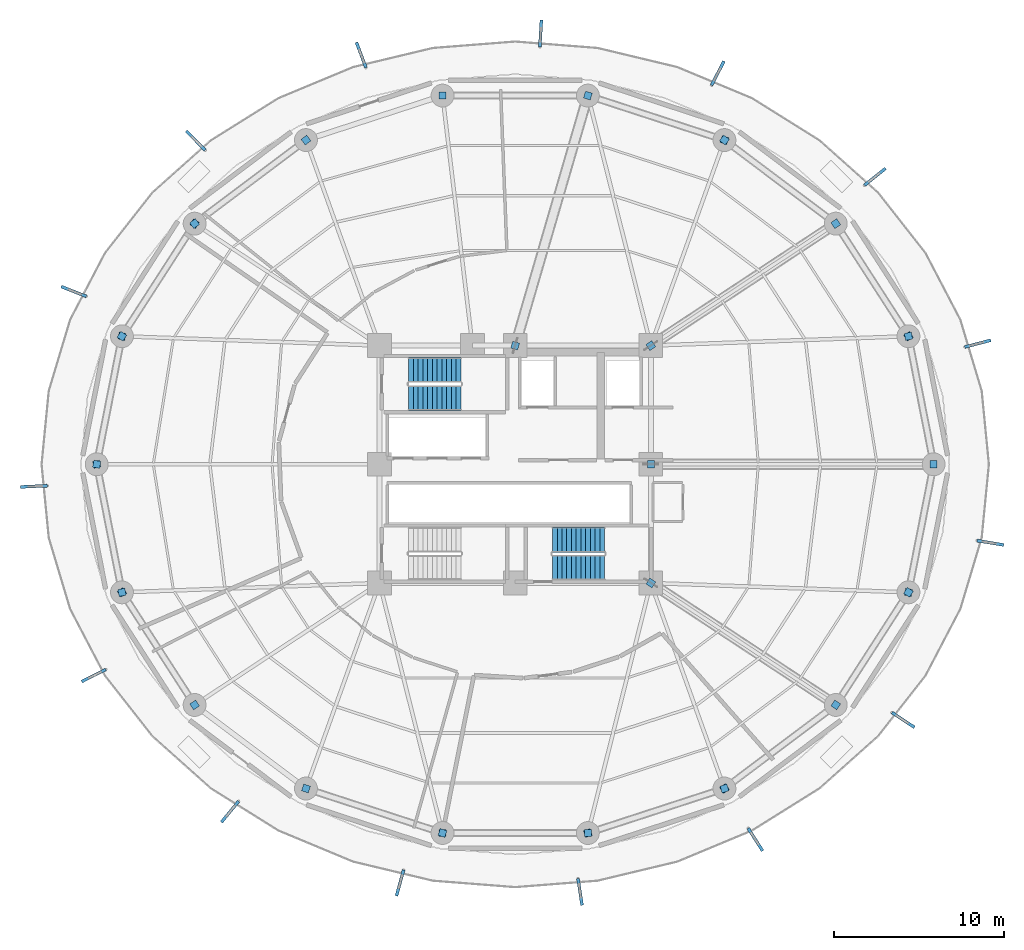
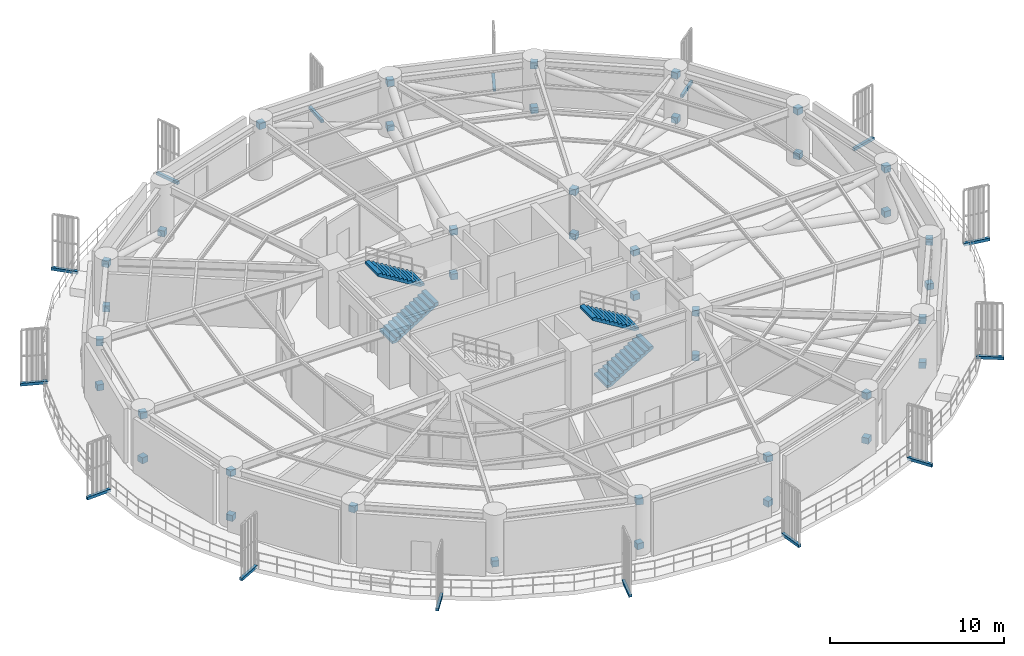
# One storey, part 6 of 10: 55 discrete accessories, 4 stair flights, 2 elements without a shape of their own.
"""IFC4 building model written with IfcOpenShell, lengths in metres."""

from ifc_helpers import new_model, si_unit, direction, frame, origin, origin_2d, place, context, subcontext, project, spatial, polyline, rectangle, outline, extrude, source, transform, mapped, material, type_object, element, aggregate, save


model = new_model("IFC4")

# Units and contexts
model_context = context("Model", 3, precision=1e-05, world=origin(), true_north=direction((0.0, 1.0)))
body_context = subcontext(model_context, "Body", "Model", "MODEL_VIEW")
ifc_project = project(units=[si_unit("LENGTHUNIT", "METRE"), si_unit("AREAUNIT", "SQUARE_METRE"), si_unit("VOLUMEUNIT", "CUBIC_METRE"), si_unit("PLANEANGLEUNIT", "RADIAN"), si_unit("MASSUNIT", "GRAM", prefix="KILO")], contexts=[model_context])

# Site, building, storey
site_placement = place(None, origin())
site = spatial("IfcSite", under=ifc_project, at=site_placement, CompositionType="ELEMENT")
building_placement = place(site_placement, origin())
building = spatial("IfcBuilding", under=site, at=building_placement, Name="Kelanora Arch Commons", CompositionType="ELEMENT")
storey_placement = place(building_placement, frame((0.0, 0.0, 72.260009765625)))
storey = spatial("IfcBuildingStorey", under=building, at=storey_placement, Name="L18", CompositionType="ELEMENT", Elevation=72.260009765625)

# Stair, stair flights
ifc_material_1 = material(Name="Concrete C40/50", Category="concrete")
stair_type = type_object("IfcStairType", Name="STR-DL-409", PredefinedType="HALF_TURN_STAIR", material=ifc_material_1)
stair_1_placement = place(storey_placement, origin())
stair_1 = element("IfcStair", 1, at=stair_1_placement, inside=storey, type_object=stair_type, Name="L18 ST-T1", PredefinedType="HALF_TURN_STAIR")
stair_flight_type = type_object("IfcStairFlightType", Name="FLT-DL-409", PredefinedType="STRAIGHT", material=ifc_material_1)
stair_flight_1_placement = place(storey_placement, frame((67.719970703125, 61.919921875, 0.0), z_axis=(0.0, 0.0, 1.0), x_axis=(1.0, 0.0, 0.0)))
stair_flight_1 = element("IfcStairFlight", 2, at=stair_flight_1_placement, type_object=stair_flight_type, Name="ST-T1 flight 1", NumberOfRisers=12, NumberOfTreads=11, PredefinedType="STRAIGHT", RiserHeight=0.170416667, TreadLength=0.28, context=body_context, shape_type="SweptSolid", body=[
    extrude(outline(polyline([(0.0, 0.0), (0.0, 0.17041015625), (0.280029296875, 0.17041015625), (0.280029296875, 0.3408203125), (0.56005859375, 0.3408203125), (0.56005859375, 0.51123046875), (0.840087890625, 0.51123046875), (0.840087890625, 0.681640625), (1.1201171875, 0.681640625), (1.1201171875, 0.85205078125), (1.39990234375, 0.85205078125), (1.39990234375, 1.0224609375), (1.679931640625, 1.0224609375), (1.679931640625, 1.19287109375), (1.9599609375, 1.19287109375), (1.9599609375, 1.36328125), (2.239990234375, 1.36328125), (2.239990234375, 1.53369140625), (2.52001953125, 1.53369140625), (2.52001953125, 1.7041015625), (2.800048828125, 1.7041015625), (2.800048828125, 1.87451171875), (3.080078125, 1.87451171875), (3.080078125, 2.044921875), (3.080078125, 1.69921875), (0.288330078125, 0.0), (0.0, 0.0)])), frame((0.0, 0.739990234375, 0.0), z_axis=(0.0, -1.0, 0.0), x_axis=(1.0, 0.0, 0.0)), (0.0, 0.0, 1.0), 1.47998046875),
])
stair_flight_2_placement = place(storey_placement, frame((70.800048828125, 63.550048828125, 2.044921875), z_axis=(0.0, 0.0, 1.0), x_axis=(-1.0, 0.0, 0.0)))
stair_flight_2 = element("IfcStairFlight", 3, at=stair_flight_2_placement, type_object=stair_flight_type, Name="ST-T1 flight 2", NumberOfRisers=12, NumberOfTreads=11, PredefinedType="STRAIGHT", RiserHeight=0.170416667, TreadLength=0.28, context=body_context, shape_type="SweptSolid", body=[
    extrude(outline(polyline([(0.0, 0.0), (0.0, 0.17041015625), (0.280029296875, 0.17041015625), (0.280029296875, 0.3408203125), (0.56005859375, 0.3408203125), (0.56005859375, 0.51123046875), (0.840087890625, 0.51123046875), (0.840087890625, 0.681640625), (1.1201171875, 0.681640625), (1.1201171875, 0.85205078125), (1.39990234375, 0.85205078125), (1.39990234375, 1.0224609375), (1.679931640625, 1.0224609375), (1.679931640625, 1.19287109375), (1.9599609375, 1.19287109375), (1.9599609375, 1.36328125), (2.239990234375, 1.36328125), (2.239990234375, 1.53369140625), (2.52001953125, 1.53369140625), (2.52001953125, 1.7041015625), (2.800048828125, 1.7041015625), (2.800048828125, 1.87451171875), (3.080078125, 1.87451171875), (3.080078125, 2.044921875), (3.080078125, 1.69921875), (0.288330078125, 0.0), (0.0, 0.0)])), frame((0.0, 0.739990234375, 0.0), z_axis=(0.0, -1.0, 0.0), x_axis=(1.0, 0.0, 0.0)), (0.0, 0.0, 1.0), 1.47998046875),
])
aggregate(stair_1, [stair_flight_1, stair_flight_2])

stair_2_placement = place(storey_placement, origin())
stair_2 = element("IfcStair", 4, at=stair_2_placement, inside=storey, type_object=stair_type, Name="L18 ST-T2", PredefinedType="HALF_TURN_STAIR")
stair_flight_3_placement = place(storey_placement, frame((76.199951171875, 51.919921875, 0.0), z_axis=(0.0, 0.0, 1.0), x_axis=(1.0, 0.0, 0.0)))
stair_flight_3 = element("IfcStairFlight", 5, at=stair_flight_3_placement, type_object=stair_flight_type, Name="ST-T2 flight 1", NumberOfRisers=12, NumberOfTreads=11, PredefinedType="STRAIGHT", RiserHeight=0.170416667, TreadLength=0.28, context=body_context, shape_type="SweptSolid", body=[
    extrude(outline(polyline([(0.0, 0.0), (0.0, 0.17041015625), (0.280029296875, 0.17041015625), (0.280029296875, 0.3408203125), (0.56005859375, 0.3408203125), (0.56005859375, 0.51123046875), (0.840087890625, 0.51123046875), (0.840087890625, 0.681640625), (1.1201171875, 0.681640625), (1.1201171875, 0.85205078125), (1.39990234375, 0.85205078125), (1.39990234375, 1.0224609375), (1.679931640625, 1.0224609375), (1.679931640625, 1.19287109375), (1.9599609375, 1.19287109375), (1.9599609375, 1.36328125), (2.239990234375, 1.36328125), (2.239990234375, 1.53369140625), (2.52001953125, 1.53369140625), (2.52001953125, 1.7041015625), (2.800048828125, 1.7041015625), (2.800048828125, 1.87451171875), (3.080078125, 1.87451171875), (3.080078125, 2.044921875), (3.080078125, 1.69921875), (0.288330078125, 0.0), (0.0, 0.0)])), frame((0.0, 0.739990234375, 0.0), z_axis=(0.0, -1.0, 0.0), x_axis=(1.0, 0.0, 0.0)), (0.0, 0.0, 1.0), 1.47998046875),
])
stair_flight_4_placement = place(storey_placement, frame((79.280029296875, 53.550048828125, 2.044921875), z_axis=(0.0, 0.0, 1.0), x_axis=(-1.0, 0.0, 0.0)))
stair_flight_4 = element("IfcStairFlight", 6, at=stair_flight_4_placement, type_object=stair_flight_type, Name="ST-T2 flight 2", NumberOfRisers=12, NumberOfTreads=11, PredefinedType="STRAIGHT", RiserHeight=0.170416667, TreadLength=0.28, context=body_context, shape_type="SweptSolid", body=[
    extrude(outline(polyline([(0.0, 0.0), (0.0, 0.17041015625), (0.280029296875, 0.17041015625), (0.280029296875, 0.3408203125), (0.56005859375, 0.3408203125), (0.56005859375, 0.51123046875), (0.840087890625, 0.51123046875), (0.840087890625, 0.681640625), (1.1201171875, 0.681640625), (1.1201171875, 0.85205078125), (1.39990234375, 0.85205078125), (1.39990234375, 1.0224609375), (1.679931640625, 1.0224609375), (1.679931640625, 1.19287109375), (1.9599609375, 1.19287109375), (1.9599609375, 1.36328125), (2.239990234375, 1.36328125), (2.239990234375, 1.53369140625), (2.52001953125, 1.53369140625), (2.52001953125, 1.7041015625), (2.800048828125, 1.7041015625), (2.800048828125, 1.87451171875), (3.080078125, 1.87451171875), (3.080078125, 2.044921875), (3.080078125, 1.69921875), (0.288330078125, 0.0), (0.0, 0.0)])), frame((0.0, 0.739990234375, 0.0), z_axis=(0.0, -1.0, 0.0), x_axis=(1.0, 0.0, 0.0)), (0.0, 0.0, 1.0), 1.47998046875),
])
aggregate(stair_2, [stair_flight_3, stair_flight_4])

# Discrete accessories
ifc_material_2 = material(Name="Steel S355", Category="steel")
discrete_accessory_type_1 = type_object("IfcDiscreteAccessoryType", Name="ACC-BRC-CONN", PredefinedType="BRACKET", material=ifc_material_2)
shared_shape_1 = source(origin(), body_context, "Body", "SweptSolid", [
    extrude(rectangle(XDim=0.419921875, YDim=0.419921875, at=origin_2d()), origin(), (0.0, 0.0, 1.0), 0.419921875),
])
for number, where, z_axis, x_axis, name in (
    (7, (82.0, 51.0, 0.14013671875), (0.0, 0.0, 1.0), (0.834751773535, -0.55062644014, 0.0), "Brace and Strut Gusset End Connection 0049"),
    (8, (92.906005859375, 43.80712890625, 3.27001953125), (0.0, 0.0, 1.0), (0.834751773535, -0.55062644014, 0.0), "Brace and Strut Gusset End Connection 0050"),
    (9, (82.0, 51.0, 3.27001953125), (0.0, 0.0, 1.0), (0.834751773535, -0.55062644014, 0.0), "Brace and Strut Gusset End Connection 0051"),
    (10, (92.906005859375, 43.80712890625, 0.14013671875), (0.0, 0.0, 1.0), (0.834751773535, -0.55062644014, 0.0), "Brace and Strut Gusset End Connection 0052"),
    (11, (82.0, 58.0, 0.14013671875), (0.0, 0.0, 1.0), (1.0, 0.0, 0.0), "Brace and Strut Gusset End Connection 0053"),
    (12, (98.679931640625, 58.0, 3.27001953125), (0.0, 0.0, 1.0), (1.0, 0.0, 0.0), "Brace and Strut Gusset End Connection 0054"),
    (13, (82.0, 58.0, 3.27001953125), (0.0, 0.0, 1.0), (1.0, 0.0, 0.0), "Brace and Strut Gusset End Connection 0055"),
    (14, (98.679931640625, 58.0, 0.14013671875), (0.0, 0.0, 1.0), (1.0, 0.0, 0.0), "Brace and Strut Gusset End Connection 0056"),
    (15, (82.0, 65.0, 0.14013671875), (0.0, 0.0, 1.0), (0.834751773535, 0.55062644014, 0.0), "Brace and Strut Gusset End Connection 0057"),
    (16, (92.906005859375, 72.19287109375, 3.27001953125), (0.0, 0.0, 1.0), (0.834751773535, 0.55062644014, 0.0), "Brace and Strut Gusset End Connection 0058"),
    (17, (82.0, 65.0, 3.27001953125), (0.0, 0.0, 1.0), (0.834751773535, 0.55062644014, 0.0), "Brace and Strut Gusset End Connection 0059"),
    (18, (92.906005859375, 72.19287109375, 0.14013671875), (0.0, 0.0, 1.0), (0.834751773535, 0.55062644014, 0.0), "Brace and Strut Gusset End Connection 0060"),
    (19, (74.0, 65.0, 0.14013671875), (0.0, 0.0, 1.0), (0.279158704655, 0.960244977917, 0.0), "Brace and Strut Gusset End Connection 0061"),
    (20, (78.28564453125, 79.74462890625, 3.27001953125), (0.0, 0.0, 1.0), (0.279158704655, 0.960244977917, 0.0), "Brace and Strut Gusset End Connection 0062"),
    (21, (74.0, 65.0, 3.27001953125), (0.0, 0.0, 1.0), (0.279158704655, 0.960244977917, 0.0), "Brace and Strut Gusset End Connection 0063"),
    (22, (78.28564453125, 79.74462890625, 0.14013671875), (0.0, 0.0, 1.0), (0.279158704655, 0.960244977917, 0.0), "Brace and Strut Gusset End Connection 0064"),
    (23, (97.191650390625, 65.5517578125, 3.27001953125), (0.0, 0.0, 1.0), (-0.193378232506, 0.981124283255, 0.0), "Brace and Strut Gusset End Connection 0065"),
    (24, (97.191650390625, 65.5517578125, 0.14013671875), (0.0, 0.0, 1.0), (-0.542294904417, 0.840188215011, 0.0), "Brace and Strut Gusset End Connection 0066"),
    (25, (86.340087890625, 77.121826171875, 3.27001953125), (0.0, 0.0, 1.0), (-0.799684658487, 0.600420225326, 0.0), "Brace and Strut Gusset End Connection 0067"),
    (26, (86.340087890625, 77.121826171875, 0.14013671875), (0.0, 0.0, 1.0), (-0.950840549986, 0.309680881719, 0.0), "Brace and Strut Gusset End Connection 0068"),
    (27, (69.71435546875, 79.74462890625, 3.27001953125), (0.0, 0.0, 1.0), (-1.0, 0.0, 0.0), "Brace and Strut Gusset End Connection 0069"),
    (28, (61.659912109375, 77.121826171875, 0.14013671875), (0.0, 0.0, 1.0), (-0.799684658487, -0.600420225326, 0.0), "Brace and Strut Gusset End Connection 0070"),
    (29, (55.093994140625, 72.19287109375, 3.27001953125), (0.0, 0.0, 1.0), (-0.799684658487, -0.600420225326, 0.0), "Brace and Strut Gusset End Connection 0071"),
    (30, (55.093994140625, 72.19287109375, 0.14013671875), (0.0, 0.0, 1.0), (-0.542294904417, -0.840188215011, 0.0), "Brace and Strut Gusset End Connection 0072"),
    (31, (50.808349609375, 65.5517578125, 3.27001953125), (0.0, 0.0, 1.0), (-0.542294904417, -0.840188215011, 0.0), "Brace and Strut Gusset End Connection 0073"),
    (32, (50.808349609375, 65.5517578125, 0.14013671875), (0.0, 0.0, 1.0), (-0.193378232506, -0.981124283255, 0.0), "Brace and Strut Gusset End Connection 0074"),
    (33, (49.320068359375, 58.0, 3.27001953125), (0.0, 0.0, 1.0), (-0.193378232506, -0.981124283255, 0.0), "Brace and Strut Gusset End Connection 0075"),
    (34, (49.320068359375, 58.0, 0.14013671875), (0.0, 0.0, 1.0), (0.193378232506, -0.981124283255, 0.0), "Brace and Strut Gusset End Connection 0076"),
    (35, (50.808349609375, 50.4482421875, 3.27001953125), (0.0, 0.0, 1.0), (0.193378232506, -0.981124283255, 0.0), "Brace and Strut Gusset End Connection 0077"),
    (36, (50.808349609375, 50.4482421875, 0.14013671875), (0.0, 0.0, 1.0), (0.542294904417, -0.840188215011, 0.0), "Brace and Strut Gusset End Connection 0078"),
    (37, (55.093994140625, 43.80712890625, 3.27001953125), (0.0, 0.0, 1.0), (0.542294904417, -0.840188215011, 0.0), "Brace and Strut Gusset End Connection 0079"),
    (38, (61.659912109375, 38.878173828125, 0.14013671875), (0.0, 0.0, 1.0), (0.950840549986, -0.309680881719, 0.0), "Brace and Strut Gusset End Connection 0080"),
    (39, (69.71435546875, 36.25537109375, 3.27001953125), (0.0, 0.0, 1.0), (0.950840549986, -0.309680881719, 0.0), "Brace and Strut Gusset End Connection 0081"),
    (40, (69.71435546875, 36.25537109375, 0.14013671875), (0.0, 0.0, 1.0), (1.0, 0.0, 0.0), "Brace and Strut Gusset End Connection 0082"),
    (41, (78.28564453125, 36.25537109375, 3.27001953125), (0.0, 0.0, 1.0), (1.0, 0.0, 0.0), "Brace and Strut Gusset End Connection 0083"),
    (42, (78.28564453125, 36.25537109375, 0.14013671875), (0.0, 0.0, 1.0), (0.950840549986, 0.309680881719, 0.0), "Brace and Strut Gusset End Connection 0084"),
    (43, (86.340087890625, 38.878173828125, 3.27001953125), (0.0, 0.0, 1.0), (0.950840549986, 0.309680881719, 0.0), "Brace and Strut Gusset End Connection 0085"),
    (44, (86.340087890625, 38.878173828125, 0.14013671875), (0.0, 0.0, 1.0), (0.799684658487, 0.600420225326, 0.0), "Brace and Strut Gusset End Connection 0086"),
    (45, (97.191650390625, 50.4482421875, 3.27001953125), (0.0, 0.0, 1.0), (0.542294904417, 0.840188215011, 0.0), "Brace and Strut Gusset End Connection 0087"),
    (46, (97.191650390625, 50.4482421875, 0.14013671875), (0.0, 0.0, 1.0), (0.193378232506, 0.981124283255, 0.0), "Brace and Strut Gusset End Connection 0088"),
):
    element("IfcDiscreteAccessory", number, at=place(storey_placement, frame(where, z_axis=z_axis, x_axis=x_axis)), inside=storey, type_object=discrete_accessory_type_1, Name=name, PredefinedType="BRACKET", context=body_context, shape_type="MappedRepresentation", body=[
        mapped(shared_shape_1, transform((0.0, 0.0, 0.0), scale=1.0)),
    ])
ifc_material_3 = material(Name="Stainless steel 316 marine fin bracket", Category="steel")
discrete_accessory_type_2 = type_object("IfcDiscreteAccessoryType", Name="ACC-FIN-BRK", PredefinedType="BRACKET", material=ifc_material_3)
shared_shape_2 = source(origin(), body_context, "Body", "SweptSolid", [
    extrude(rectangle(XDim=1.590087890625, YDim=0.179931640625, at=origin_2d()), origin(), (0.0, 0.0, 1.0), 0.199951171875),
])
for number, where, z_axis, x_axis, name in (
    (47, (95.221923828125, 74.953369140625, -0.16015625), (0.0, 0.0, 1.0), (0.781302649748, 0.624152360803, 0.0), "Sweeping Fin Cantilever Spine Bracket L18-00"),
    (48, (85.944091796875, 81.0625, -0.16015625), (0.0, 0.0, 1.0), (0.459889850721, 0.887975971074, 0.0), "Sweeping Fin Cantilever Spine Bracket L18-01"),
    (49, (75.5, 83.3994140625, -0.16015625), (0.0, 0.0, 1.0), (0.058957918535, 0.998260468937, 0.0), "Sweeping Fin Cantilever Spine Bracket L18-02"),
    (50, (64.918212890625, 82.135986328125, -0.16015625), (0.0, 0.0, 1.0), (-0.352168373381, 0.935936662809, 0.0), "Sweeping Fin Cantilever Spine Bracket L18-03"),
    (51, (55.161376953125, 77.090087890625, -0.16015625), (0.0, 0.0, 1.0), (-0.70240155419, 0.711780904964, 0.0), "Sweeping Fin Cantilever Spine Bracket L18-04"),
    (52, (47.968017578125, 68.19140625, -0.16015625), (0.0, 0.0, 1.0), (-0.931183125162, 0.364551762325, 0.0), "Sweeping Fin Cantilever Spine Bracket L18-05"),
    (53, (45.610595703125, 56.700927734375, -0.16015625), (0.0, 0.0, 1.0), (-0.99895467426, -0.04571169187, 0.0), "Sweeping Fin Cantilever Spine Bracket L18-06"),
    (54, (49.1474609375, 45.5439453125, -0.16015625), (0.0, 0.0, 1.0), (-0.893997884961, -0.448071179262, 0.0), "Sweeping Fin Cantilever Spine Bracket L18-07"),
    (55, (57.180908203125, 37.509521484375, -0.16015625), (0.0, 0.0, 1.0), (-0.634460739636, -0.772955089162, 0.0), "Sweeping Fin Cantilever Spine Bracket L18-08"),
    (56, (67.208984375, 33.31201171875, -0.16015625), (0.0, 0.0, 1.0), (-0.265219568533, -0.964188042068, 0.0), "Sweeping Fin Cantilever Spine Bracket L18-09"),
    (57, (77.82275390625, 32.783447265625, -0.16015625), (0.0, 0.0, 1.0), (0.149880475413, -0.988704123128, 0.0), "Sweeping Fin Cantilever Spine Bracket L18-10"),
    (58, (88.16455078125, 35.86865234375, -0.16015625), (0.0, 0.0, 1.0), (0.539064823539, -0.842264279204, 0.0), "Sweeping Fin Cantilever Spine Bracket L18-11"),
    (59, (96.881103515625, 42.92431640625, -0.16015625), (0.0, 0.0, 1.0), (0.835039966425, -0.550189289674, 0.0), "Sweeping Fin Cantilever Spine Bracket L18-12"),
    (60, (102.021484375, 53.37109375, -0.16015625), (0.0, 0.0, 1.0), (0.986629113016, -0.162981573648, 0.0), "Sweeping Fin Cantilever Spine Bracket L18-13"),
    (61, (101.279296875, 65.115966796875, -0.16015625), (0.0, 0.0, 1.0), (0.967621122723, 0.252407137104, 0.0), "Sweeping Fin Cantilever Spine Bracket L18-14"),
):
    element("IfcDiscreteAccessory", number, at=place(storey_placement, frame(where, z_axis=z_axis, x_axis=x_axis)), inside=storey, type_object=discrete_accessory_type_2, Name=name, PredefinedType="BRACKET", context=body_context, shape_type="MappedRepresentation", body=[
        mapped(shared_shape_2, transform((0.0, 0.0, 0.0), scale=1.0)),
    ])

save(model, "model.ifc")
